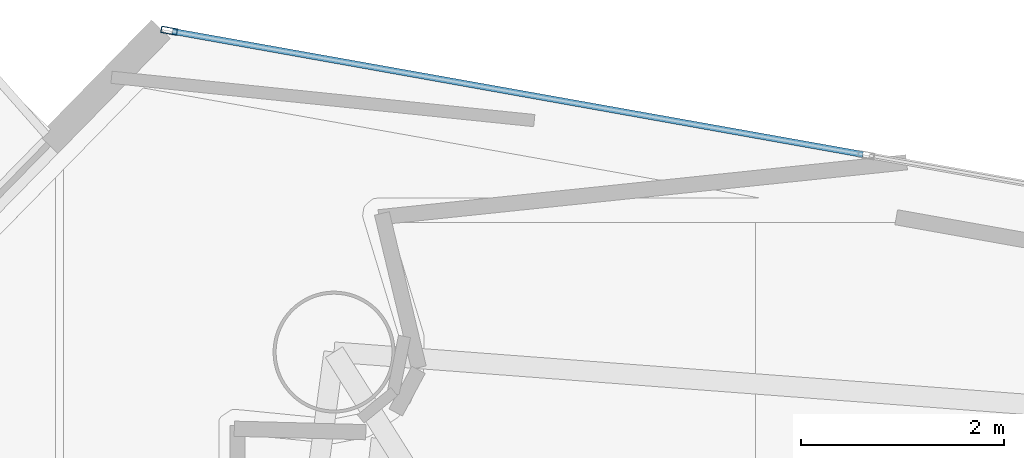
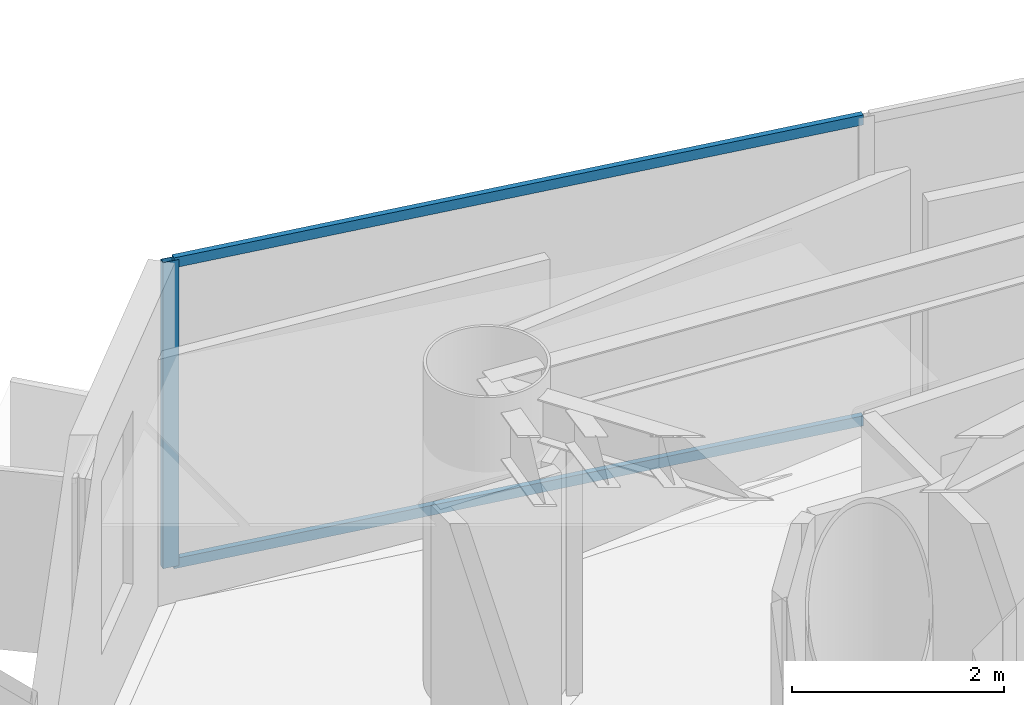
# One storey, part 15 of 22: 3 members, 1 element without a shape of its own.
"""IFC4 building model written with IfcOpenShell, lengths in metres."""

import ifcopenshell
import ifcopenshell.guid

model = None  # the IFC model being written
_history = None  # IfcOwnerHistory: only IFC2X3 demands one
_inside = {}  # id of a spatial element -> (the spatial element, [elements in it])
_under = {}  # id of a project, library or spatial element -> (it, [spatial elements below it])
_declared = {}  # id of a project -> (the project, [libraries it declares])
_typed = {}  # id of a type object -> (the type object, [elements of that type])
_made_of = {}  # id of a material, layer set ... -> (it, [elements and type objects made of it])


def new_model(schema):
    """Start an empty IFC model of exactly this schema.

    Asked for "IFC4X3", IfcOpenShell would pick the latest addendum, in which some entities
    have other attributes; the version numbers below select the first issue.
    IFC2X3 requires an IfcOwnerHistory on every rooted entity: one is made here for all.
    """
    global model, _history
    if schema == "IFC4X3":
        model = ifcopenshell.file(schema_version=(4, 3, 0, 0))
    else:
        model = ifcopenshell.file(schema=schema)
    _inside.clear()
    _under.clear()
    _declared.clear()
    _typed.clear()
    _made_of.clear()
    _history = None
    if model.schema == "IFC2X3":
        org = make("IfcOrganization", Name="unknown")
        user = make(
            "IfcPersonAndOrganization",
            ThePerson=make("IfcPerson", FamilyName="unknown"),
            TheOrganization=org,
        )
        app = make(
            "IfcApplication",
            ApplicationDeveloper=org,
            Version="unknown",
            ApplicationFullName="unknown",
            ApplicationIdentifier="unknown",
        )
        _history = make(
            "IfcOwnerHistory",
            OwningUser=user,
            OwningApplication=app,
            ChangeAction="ADDED",
            CreationDate=0,
        )
    return model


def make(cls, **values):
    """One entity of the class cls with the attributes given. An attribute that is None is left unset."""
    return model.create_entity(
        cls, **{name: value for name, value in values.items() if value is not None}
    )


def rooted(cls, **values):
    """An entity with a GlobalId (a new one), such as an element, a storey or a relation."""
    return make(cls, GlobalId=ifcopenshell.guid.new(), OwnerHistory=_history, **values)


def si_unit(unit_type, name, prefix=None):
    """IfcSIUnit, for example si_unit("LENGTHUNIT", "METRE", prefix="MILLI")."""
    return make("IfcSIUnit", UnitType=unit_type, Prefix=prefix, Name=name)


def assignment(units):
    """IfcUnitAssignment: the units of a project."""
    return None if units is None else make("IfcUnitAssignment", Units=units)


def point(xyz):
    """IfcCartesianPoint."""
    return None if xyz is None else make("IfcCartesianPoint", Coordinates=xyz)


def direction(xyz):
    """IfcDirection."""
    return None if xyz is None else make("IfcDirection", DirectionRatios=xyz)


def frame(location, z_axis=None, x_axis=None):
    """IfcAxis2Placement3D, a coordinate frame: its origin and axes. An axis left out is left unset."""
    return make(
        "IfcAxis2Placement3D",
        Location=point(location),
        Axis=direction(z_axis),
        RefDirection=direction(x_axis),
    )


def frame_2d(location, x_axis=None):
    """IfcAxis2Placement2D, a coordinate frame in the plane: its origin and x axis."""
    return make(
        "IfcAxis2Placement2D", Location=point(location), RefDirection=direction(x_axis)
    )


def origin():
    """The frame at (0, 0, 0) with its axes left unset."""
    return frame((0.0, 0.0, 0.0))


def origin_2d():
    """The frame at (0, 0) in the plane with its x axis left unset."""
    return frame_2d((0.0, 0.0))


def place(relative_to, where):
    """IfcLocalPlacement: puts the frame where relative to a parent placement (None: the world)."""
    return make(
        "IfcLocalPlacement", PlacementRelTo=relative_to, RelativePlacement=where
    )


def context(
    kind, dimensions, precision=None, world=None, true_north=None, identifier=None
):
    """IfcGeometricRepresentationContext, for example the 3D "Model" context."""
    return make(
        "IfcGeometricRepresentationContext",
        ContextIdentifier=identifier,
        ContextType=kind,
        CoordinateSpaceDimension=dimensions,
        Precision=precision,
        WorldCoordinateSystem=world,
        TrueNorth=true_north,
    )


def subcontext(parent, identifier, kind, view, scale=None):
    """IfcGeometricRepresentationSubContext, for example "Body" below "Model"."""
    return make(
        "IfcGeometricRepresentationSubContext",
        ContextIdentifier=identifier,
        ContextType=kind,
        ParentContext=parent,
        TargetScale=scale,
        TargetView=view,
    )


def project(units=None, contexts=None):
    """IfcProject with its units and contexts."""
    return rooted(
        "IfcProject",
        Name="project",
        RepresentationContexts=contexts,
        UnitsInContext=assignment(units),
    )


def spatial(cls, under=None, at=None, **own):
    """A site, building, storey or space (cls), placed at a placement, below another one or the project."""
    s = rooted(cls, ObjectPlacement=at, **own)
    if under is not None:
        _under.setdefault(under.id(), (under, []))[1].append(s)
    return s


def profile(cls, at=None, kind="AREA", **sizes):
    """A parametric profile (cls). Its sizes go by their IFC names, for example OverallWidth=200.0."""
    return make(cls, ProfileType=kind, Position=at, **sizes)


def hollow_rectangle(**sizes):
    """IfcRectangleHollowProfileDef."""
    return profile("IfcRectangleHollowProfileDef", **sizes)


def extrude(swept, where, along, depth):
    """IfcExtrudedAreaSolid: the profile swept, set in the frame where, extruded along a direction by depth."""
    return make(
        "IfcExtrudedAreaSolid",
        SweptArea=swept,
        Position=where,
        ExtrudedDirection=direction(along),
        Depth=depth,
    )


def shape(context_of_items, identifier, shape_type, items):
    """IfcShapeRepresentation: the items that make up one representation, for example the "Body"."""
    return make(
        "IfcShapeRepresentation",
        ContextOfItems=context_of_items,
        RepresentationIdentifier=identifier,
        RepresentationType=shape_type,
        Items=items,
    )


def material(Name=None, Category=None):
    """IfcMaterial."""
    return make("IfcMaterial", Name=Name, Category=Category)


def layer(
    of_material, thickness, ventilated=None, Name=None, Category=None, Priority=None
):
    """IfcMaterialLayer: one layer of a wall or slab, of a material (None: an air gap)."""
    return make(
        "IfcMaterialLayer",
        Material=of_material,
        LayerThickness=thickness,
        IsVentilated=ventilated,
        Name=Name,
        Category=Category,
        Priority=Priority,
    )


def layer_set(layers, Name=None):
    """IfcMaterialLayerSet."""
    return make("IfcMaterialLayerSet", MaterialLayers=layers, LayerSetName=Name)


def material_profile(
    of_material, cross_section, Name=None, Category=None, Priority=None
):
    """IfcMaterialProfile: a cross section and its material."""
    return make(
        "IfcMaterialProfile",
        Name=Name,
        Material=of_material,
        Profile=cross_section,
        Priority=Priority,
        Category=Category,
    )


def profile_set(profiles, Name=None, composite=None):
    """IfcMaterialProfileSet."""
    return make(
        "IfcMaterialProfileSet",
        Name=Name,
        MaterialProfiles=profiles,
        CompositeProfile=composite,
    )


def made_of(thing, what):
    """Note that an element or type object is made of a material, layer set ...; save() writes the relation."""
    if what is not None:
        _made_of.setdefault(what.id(), (what, []))[1].append(thing)
    return thing


def type_object(cls, material=None, **own):
    """A type object (cls), such as IfcWallType, which elements share."""
    return made_of(rooted(cls, **own), material)


def element(
    cls,
    number,
    at=None,
    inside=None,
    cuts=None,
    type_object=None,
    material=None,
    context=None,
    identifier="Body",
    shape_type=None,
    held_by="IfcProductDefinitionShape",
    body=None,
    shapes=None,
    **own,
):
    """One element of the class cls, such as IfcWall. Its Tag is "e" and its number.

    at: its placement. inside: the storey or other place that contains it. cuts: it is an
    opening in that element (IfcRelVoidsElement). A single representation is given by context,
    identifier, shape_type and body (its items); several are given by shapes. held_by: the class
    of the entity that holds the representations. save() writes the other relations.
    """
    e = rooted(cls, Tag="e%d" % number, ObjectPlacement=at, **own)
    if body is not None:
        shapes = [shape(context, identifier, shape_type, body)]
    if shapes is not None:
        e.Representation = make(held_by, Representations=shapes)
    if inside is not None:
        _inside.setdefault(inside.id(), (inside, []))[1].append(e)
    if cuts is not None:
        rooted(
            "IfcRelVoidsElement", RelatingBuildingElement=cuts, RelatedOpeningElement=e
        )
    if type_object is not None:
        _typed.setdefault(type_object.id(), (type_object, []))[1].append(e)
    return made_of(e, material)


def aggregate(whole, parts):
    """IfcRelAggregates: a whole, such as a stair, and the parts it consists of."""
    return rooted("IfcRelAggregates", RelatingObject=whole, RelatedObjects=parts)


def save(model, path):
    """Write the relations noted so far, then the file.

    IfcRelAggregates (storeys below a building ...), IfcRelContainedInSpatialStructure (elements
    in a storey), IfcRelDefinesByType, IfcRelAssociatesMaterial and IfcRelDeclares: one each for
    every whole, place, type object, material and project.
    """
    for whole, parts in _under.values():
        aggregate(whole, parts)
    for where, things in _inside.values():
        rooted(
            "IfcRelContainedInSpatialStructure",
            RelatedElements=things,
            RelatingStructure=where,
        )
    for kind, things in _typed.values():
        rooted("IfcRelDefinesByType", RelatedObjects=things, RelatingType=kind)
    for what, things in _made_of.values():
        rooted("IfcRelAssociatesMaterial", RelatedObjects=things, RelatingMaterial=what)
    for by, libraries in _declared.values():
        rooted("IfcRelDeclares", RelatingContext=by, RelatedDefinitions=libraries)
    model.write(path)


model = new_model("IFC4")

# Units and contexts
model_context = context("Model", 3, precision=1e-05, world=origin(), true_north=direction((0.0, 1.0)))
body_context = subcontext(model_context, "Body", "Model", "MODEL_VIEW")
ifc_project = project(units=[si_unit("LENGTHUNIT", "METRE"), si_unit("AREAUNIT", "SQUARE_METRE"), si_unit("VOLUMEUNIT", "CUBIC_METRE"), si_unit("PLANEANGLEUNIT", "RADIAN"), si_unit("MASSUNIT", "GRAM", prefix="KILO")], contexts=[model_context])

# Site, building, storey
site_placement = place(None, origin())
site = spatial("IfcSite", under=ifc_project, at=site_placement, CompositionType="ELEMENT")
building_placement = place(site_placement, origin())
building = spatial("IfcBuilding", under=site, at=building_placement, Name="Qianvela Tower", CompositionType="ELEMENT")
storey_placement = place(building_placement, frame((0.0, 0.0, 207.699951171875)))
storey = spatial("IfcBuildingStorey", under=building, at=storey_placement, Name="L53", CompositionType="ELEMENT", Elevation=207.699951171875)

# Curtain wall, members
ifc_material_1 = material(Name="Anodised Architectural Aluminium and Low-E Glass", Category="aluminium")
ifc_layer = layer(ifc_material_1, 0.159912109375)
ifc_layer_set = layer_set([ifc_layer], Name="Anodised Architectural Aluminium and Low-E Glass")
curtain_wall_type = type_object("IfcCurtainWallType", Name="CW-COLIV-Z56", PredefinedType="USERDEFINED", material=ifc_layer_set)
curtain_wall_placement = place(storey_placement, origin())
curtain_wall = element("IfcCurtainWall", 1, at=curtain_wall_placement, inside=storey, type_object=curtain_wall_type, Name="L53 CW-COLIV-Z56 Curtain Wall 02C", ObjectType="CURTAIN_WALL_SYSTEM", PredefinedType="USERDEFINED")
ifc_material_2 = material(Name="Anodised Architectural Aluminium 6063-T6", Category="aluminium")
ifc_material_profile_1 = material_profile(ifc_material_2, hollow_rectangle(XDim=0.06494140625, YDim=0.159912109375, WallThickness=0.0048828125, at=origin_2d()), Name="ALU-MULL-65x160")
ifc_profile_set_1 = profile_set([ifc_material_profile_1], Name="Anodised Architectural Aluminium 6063-T6")
member_type_1 = type_object("IfcMemberType", Name="CW-COLIV-Z56-MULL", PredefinedType="MULLION", material=ifc_profile_set_1)
member_1_placement = place(storey_placement, frame((24.8076171875, 40.156005859375, 0.0), z_axis=(0.0, 0.0, 1.0), x_axis=(-0.175586258949, -0.984464049962, 0.0)))
member_1 = element("IfcMember", 2, at=member_1_placement, type_object=member_type_1, Name="CW-5 mullion 3", PredefinedType="MULLION", context=body_context, shape_type="SweptSolid", body=[
    extrude(hollow_rectangle(XDim=0.06494140625, YDim=0.159912109375, WallThickness=0.0048828125, at=origin_2d()), origin(), (0.0, 0.0, 1.0), 3.52001953125),
])
ifc_material_3 = material(Name="Anodised Architectural Aluminium 6063-T6", Category="aluminium")
ifc_material_profile_2 = material_profile(ifc_material_3, hollow_rectangle(XDim=0.06005859375, YDim=0.114990234375, WallThickness=0.00390625, at=origin_2d()), Name="ALU-TRAN-60x115")
ifc_profile_set_2 = profile_set([ifc_material_profile_2], Name="Anodised Architectural Aluminium 6063-T6")
member_type_2 = type_object("IfcMemberType", Name="CW-COLIV-Z56-TRAN", PredefinedType="USERDEFINED", material=ifc_profile_set_2)
member_2_placement = place(storey_placement, frame((31.637451171875, 38.937744140625, 0.030029296875), z_axis=(-0.984465138362, 0.175580156483, 0.0), x_axis=(-0.175580156483, -0.984465138362, 0.0)))
member_2 = element("IfcMember", 3, at=member_2_placement, type_object=member_type_2, Name="CW-5 transom 2.1", ObjectType="TRANSOM", PredefinedType="USERDEFINED", context=body_context, shape_type="SweptSolid", body=[
    extrude(hollow_rectangle(XDim=0.06005859375, YDim=0.114990234375, WallThickness=0.00390625, at=origin_2d()), origin(), (0.0, 0.0, 1.0), 6.905029296875),
])
member_3_placement = place(storey_placement, frame((31.637451171875, 38.937744140625, 3.489990234375), z_axis=(-0.984465138362, 0.175580156483, 0.0), x_axis=(-0.175580156483, -0.984465138362, 0.0)))
member_3 = element("IfcMember", 4, at=member_3_placement, type_object=member_type_2, Name="CW-5 transom 2.2", ObjectType="TRANSOM", PredefinedType="USERDEFINED", context=body_context, shape_type="SweptSolid", body=[
    extrude(hollow_rectangle(XDim=0.06005859375, YDim=0.114990234375, WallThickness=0.00390625, at=origin_2d()), origin(), (0.0, 0.0, 1.0), 6.905029296875),
])
aggregate(curtain_wall, [member_1, member_2, member_3])

save(model, "model.ifc")
